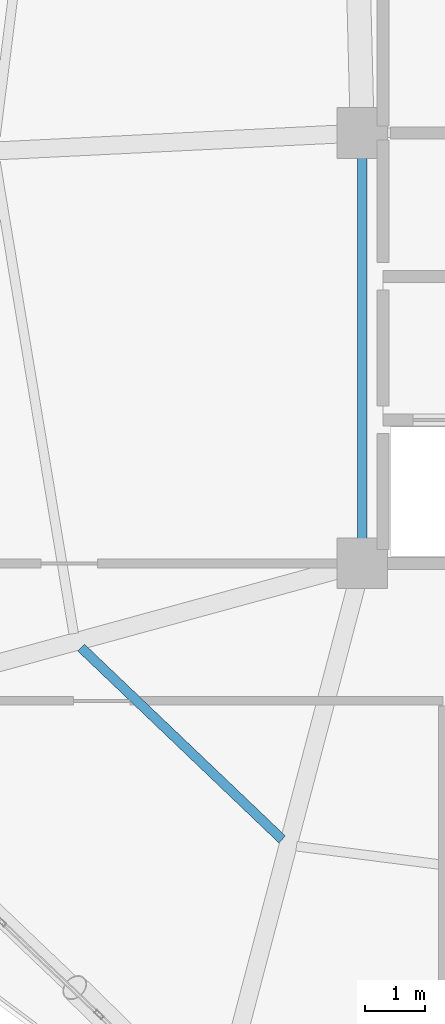
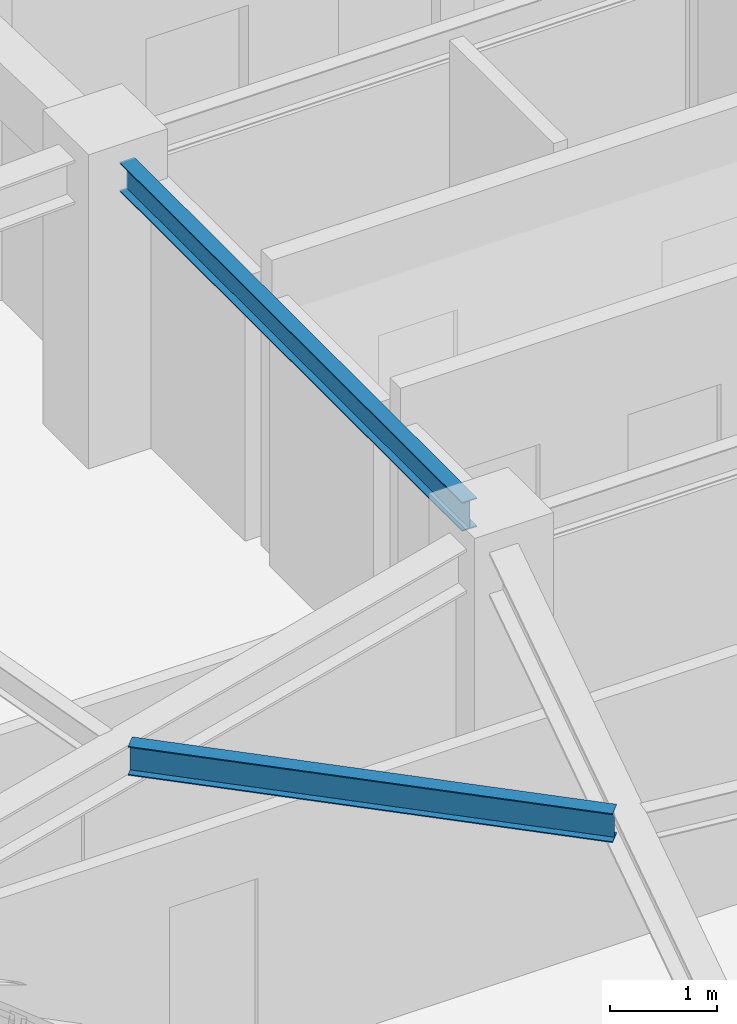
# One storey, part 6 of 28: 2 beams.
"""IFC4 building model written with IfcOpenShell, lengths in metres."""

from ifc_helpers import new_model, si_unit, direction, frame, origin, origin_2d, place, context, subcontext, project, spatial, i_section, extrude, material, material_profile, profile_set, type_object, element, save


model = new_model("IFC4")

# Units and contexts
model_context = context("Model", 3, precision=1e-05, world=origin(), true_north=direction((0.0, 1.0)))
body_context = subcontext(model_context, "Body", "Model", "MODEL_VIEW")
ifc_project = project(units=[si_unit("LENGTHUNIT", "METRE"), si_unit("AREAUNIT", "SQUARE_METRE"), si_unit("VOLUMEUNIT", "CUBIC_METRE"), si_unit("PLANEANGLEUNIT", "RADIAN"), si_unit("MASSUNIT", "GRAM", prefix="KILO")], contexts=[model_context])

# Site, building, storey
site_placement = place(None, origin())
site = spatial("IfcSite", under=ifc_project, at=site_placement, CompositionType="ELEMENT")
building_placement = place(site_placement, origin())
building = spatial("IfcBuilding", under=site, at=building_placement, Name="Varnakorn Sky Granary", CompositionType="ELEMENT")
storey_placement = place(building_placement, frame((0.0, 0.0, 193.199951171875)))
storey = spatial("IfcBuildingStorey", under=building, at=storey_placement, Name="L48", CompositionType="ELEMENT", Elevation=193.199951171875)

# Beams
ifc_material = material(Name="Steel S355JR", Category="steel")
ifc_material_profile = material_profile(ifc_material, i_section(OverallWidth=0.159912109375, OverallDepth=0.330078125, WebThickness=0.007568359375, FlangeThickness=0.011474609375, at=origin_2d()), Name="IPE 330")
ifc_profile_set = profile_set([ifc_material_profile], Name="Steel S355JR")
beam_type = type_object("IfcBeamType", Name="BM-SEC-Z4", PredefinedType="BEAM", material=ifc_profile_set)
beam_1_placement = place(storey_placement, frame((-7.052978515625, -8.011474609375, 3.195068359375), z_axis=(0.723588050767, -0.690232086176, 0.0), x_axis=(0.690232086176, 0.723588050767, 0.0)))
element("IfcBeam", 1, at=beam_1_placement, inside=storey, type_object=beam_type, Name="Secondary Floor Chord Beam MSB08 L48", PredefinedType="BEAM", context=body_context, shape_type="SweptSolid", body=[
    extrude(i_section(OverallWidth=0.159912109375, OverallDepth=0.330078125, WebThickness=0.007568359375, FlangeThickness=0.011474609375, at=origin_2d()), origin(), (0.0, 0.0, 1.0), 4.647705078125),
])
beam_2_placement = place(storey_placement, frame((-2.35009765625, 0.195068359375, 3.195068359375), z_axis=(0.0, -1.0, 0.0), x_axis=(1.0, 0.0, 0.0)))
element("IfcBeam", 2, at=beam_2_placement, inside=storey, type_object=beam_type, Name="Core Spine Framing Beam 3 L48", PredefinedType="BEAM", context=body_context, shape_type="SweptSolid", body=[
    extrude(i_section(OverallWidth=0.159912109375, OverallDepth=0.330078125, WebThickness=0.007568359375, FlangeThickness=0.011474609375, at=origin_2d()), origin(), (0.0, 0.0, 1.0), 6.39013671875),
])

save(model, "model.ifc")
